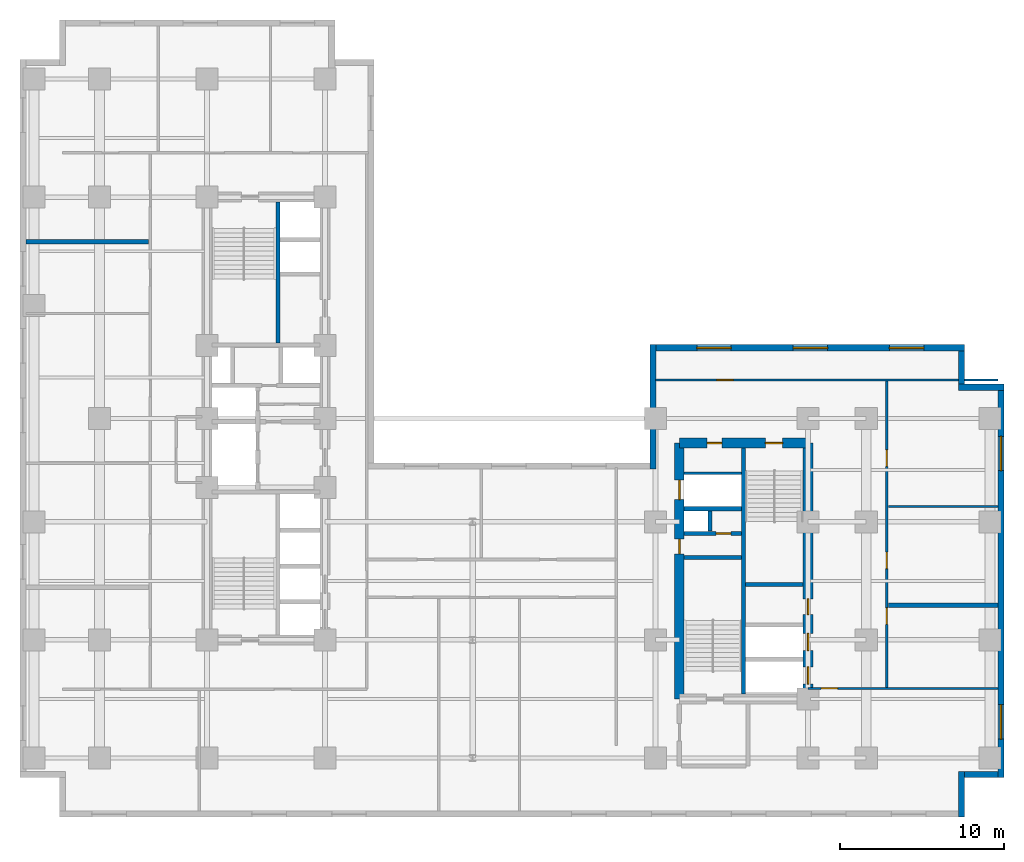
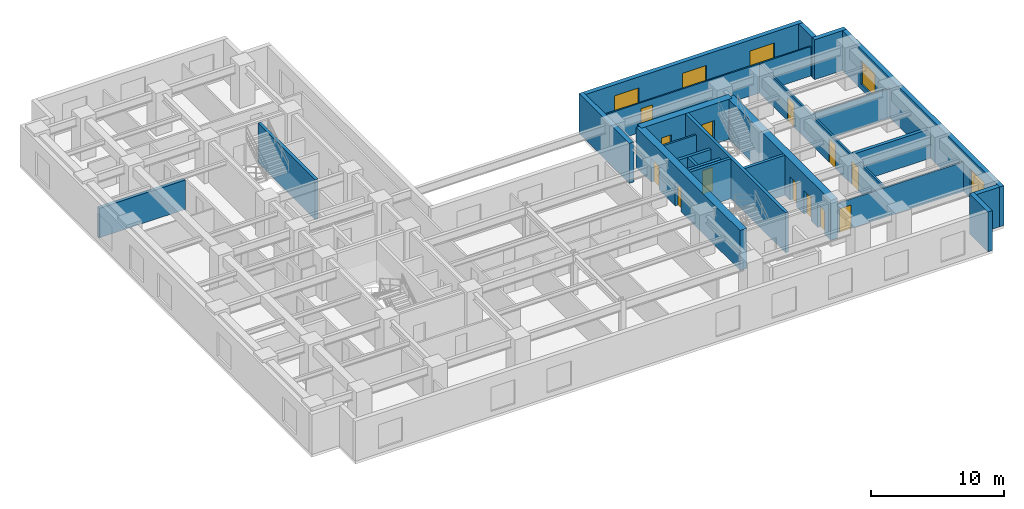
# One storey, part 5 of 9: 24 walls, 13 doors, 5 windows, 18 openings.
"""IFC4 building model written with IfcOpenShell, lengths in metres."""

from ifc_helpers import new_model, entity, si_unit, converted_unit, direction, frame, origin_with_axes, origin_2d_with_axis, place, context, subcontext, project, spatial, polyline, rectangle, outline, extrude, material, layer, layer_set, type_object, element, fill, save


model = new_model("IFC4")

# Units and contexts
model_context = context("Model", 3, precision=1e-05, world=origin_with_axes(), true_north=direction((0.0, 1.0)))
body_context = subcontext(model_context, "Body", "Model", "MODEL_VIEW")
ifc_project = project(units=[si_unit("LENGTHUNIT", "METRE"), si_unit("AREAUNIT", "SQUARE_METRE"), si_unit("VOLUMEUNIT", "CUBIC_METRE"), converted_unit("PLANEANGLEUNIT", "DEGREE", entity("IfcPlaneAngleMeasure", 0.017453292519943295), si_unit("PLANEANGLEUNIT", "RADIAN"), dimensions=[0, 0, 0, 0, 0, 0, 0]), si_unit("MASSUNIT", "GRAM", prefix="KILO"), si_unit("THERMODYNAMICTEMPERATUREUNIT", "KELVIN")], contexts=[model_context])

# Site, building, storey
site_placement = place(None, origin_with_axes())
site = spatial("IfcSite", under=ifc_project, at=site_placement, CompositionType="ELEMENT")
building_placement = place(site_placement, origin_with_axes())
building = spatial("IfcBuilding", under=site, at=building_placement, Name="Varnlund Millrace Tower", CompositionType="ELEMENT")
storey_placement = place(building_placement, frame((0.0, 0.0, 56.1), z_axis=(0.0, 0.0, 1.0), x_axis=(1.0, 0.0, 0.0)))
storey = spatial("IfcBuildingStorey", under=building, at=storey_placement, Name="L13", CompositionType="ELEMENT", Elevation=56.1)

# Wall, openings, doors
ifc_material_1 = material(Name="Concrete C80/95", Category="concrete")
ifc_layer_1 = layer(ifc_material_1, 0.6, Name="Concrete C80/95")
ifc_layer_set_1 = layer_set([ifc_layer_1], Name="Concrete C80/95")
wall_type_1 = type_object("IfcWallType", Name="Type-CoreWall-Shear-600-C80", PredefinedType="SHEAR", material=ifc_layer_set_1)
wall_1_placement = place(storey_placement, frame((40.2, 7.2, 0.0), z_axis=(0.0, 0.0, 1.0), x_axis=(0.0, 1.0, 0.0)))
wall_1 = element("IfcWall", 1, at=wall_1_placement, inside=storey, type_object=wall_type_1, Name="Type-CoreWall-Shear-600-C80", PredefinedType="SHEAR", context=body_context, shape_type="SweptSolid", body=[
    extrude(outline(polyline([(0.0, -0.3), (15.6, -0.3), (15.6, 0.3), (0.0, 0.3), (0.0, -0.3)])), origin_with_axes(), (0.0, 0.0, 1.0), 3.66),
])
opening_1_placement = place(wall_1_placement, frame((12.75, 0.0, 0.0), z_axis=(0.0, 0.0, 1.0), x_axis=(1.0, 0.0, 0.0)))
opening_1 = element("IfcOpeningElement", 2, at=opening_1_placement, cuts=wall_1, Name="Opening L13:LD-SRV2", PredefinedType="OPENING", context=body_context, shape_type="SweptSolid", body=[
    extrude(rectangle(XDim=1.2, YDim=0.62, at=origin_2d_with_axis()), origin_with_axes(), (0.0, 0.0, 1.0), 2.15),
])
opening_2_placement = place(wall_1_placement, frame((9.3, 0.0, 0.0), z_axis=(0.0, 0.0, 1.0), x_axis=(1.0, 0.0, 0.0)))
opening_2 = element("IfcOpeningElement", 3, at=opening_2_placement, cuts=wall_1, Name="Opening L13:DR-CB-JAN", PredefinedType="OPENING", context=body_context, shape_type="SweptSolid", body=[
    extrude(rectangle(XDim=0.9, YDim=0.62, at=origin_2d_with_axis()), origin_with_axes(), (0.0, 0.0, 1.0), 2.15),
])
ifc_material_2 = material(Name="Fire-rated hollow steel service closet door", Category="steel")
door_type_1 = type_object("IfcDoorType", Name="Type-FireDoor-Closet-900X2150", OperationType="NOTDEFINED", PredefinedType="DOOR", material=ifc_material_2)
door_1_placement = place(wall_1_placement, frame((9.3, 0.0, 0.0), z_axis=(0.0, 0.0, 1.0), x_axis=(1.0, 0.0, 0.0)))
door_1 = element("IfcDoor", 4, at=door_1_placement, inside=storey, type_object=door_type_1, Name="Type-FireDoor-Closet-900X2150", OperationType="SINGLE_SWING_RIGHT", OverallHeight=2.15, OverallWidth=0.9, PredefinedType="DOOR", context=body_context, shape_type="SweptSolid", body=[
    extrude(rectangle(XDim=0.9, YDim=0.09, at=origin_2d_with_axis()), origin_with_axes(), (0.0, 0.0, 1.0), 2.15),
])
fill(opening_2, door_1)
ifc_material_3 = material(Name="Heavy-duty freight sliding landing door")
door_type_2 = type_object("IfcDoorType", Name="Type-LiftLandingDoor-Service-1200X2150", OperationType="NOTDEFINED", PredefinedType="DOOR", material=ifc_material_3)
door_2_placement = place(wall_1_placement, frame((12.75, 0.0, 0.0), z_axis=(0.0, 0.0, 1.0), x_axis=(1.0, 0.0, 0.0)))
door_2 = element("IfcDoor", 5, at=door_2_placement, inside=storey, type_object=door_type_2, Name="Type-LiftLandingDoor-Service-1200X2150", OperationType="DOUBLE_DOOR_SLIDING", OverallHeight=2.15, OverallWidth=1.2, PredefinedType="DOOR", context=body_context, shape_type="SweptSolid", body=[
    extrude(rectangle(XDim=1.2, YDim=0.09, at=origin_2d_with_axis()), origin_with_axes(), (0.0, 0.0, 1.0), 2.15),
])
fill(opening_1, door_2)

wall_2_placement = place(storey_placement, frame((40.2, 22.8, 0.0), z_axis=(0.0, 0.0, 1.0), x_axis=(1.0, 0.0, 0.0)))
wall_2 = element("IfcWall", 6, at=wall_2_placement, inside=storey, type_object=wall_type_1, Name="Type-CoreWall-Shear-600-C80", PredefinedType="SHEAR", context=body_context, shape_type="SweptSolid", body=[
    extrude(outline(polyline([(0.0, -0.3), (7.85, -0.3), (7.85, 0.3), (0.0, 0.3), (0.0, -0.3)])), origin_with_axes(), (0.0, 0.0, 1.0), 3.66),
])
opening_3_placement = place(wall_2_placement, frame((5.775, 0.0, 0.0), z_axis=(0.0, 0.0, 1.0), x_axis=(1.0, 0.0, 0.0)))
opening_3 = element("IfcOpeningElement", 7, at=opening_3_placement, cuts=wall_2, Name="Opening L13:DR-STB2", PredefinedType="OPENING", context=body_context, shape_type="SweptSolid", body=[
    extrude(rectangle(XDim=1.05, YDim=0.62, at=origin_2d_with_axis()), origin_with_axes(), (0.0, 0.0, 1.0), 2.15),
])
opening_4_placement = place(wall_2_placement, frame((2.15, 0.0, 0.0), z_axis=(0.0, 0.0, 1.0), x_axis=(1.0, 0.0, 0.0)))
opening_4 = element("IfcOpeningElement", 8, at=opening_4_placement, cuts=wall_2, Name="Opening L13:DR-CB-NW", PredefinedType="OPENING", context=body_context, shape_type="SweptSolid", body=[
    extrude(rectangle(XDim=0.9, YDim=0.62, at=origin_2d_with_axis()), origin_with_axes(), (0.0, 0.0, 1.0), 2.15),
])
door_3_placement = place(wall_2_placement, frame((2.15, 0.0, 0.0), z_axis=(0.0, 0.0, 1.0), x_axis=(1.0, 0.0, 0.0)))
door_3 = element("IfcDoor", 9, at=door_3_placement, inside=storey, type_object=door_type_1, Name="Type-FireDoor-Closet-900X2150", OperationType="SINGLE_SWING_LEFT", OverallHeight=2.15, OverallWidth=0.9, PredefinedType="DOOR", context=body_context, shape_type="SweptSolid", body=[
    extrude(rectangle(XDim=0.9, YDim=0.09, at=origin_2d_with_axis()), origin_with_axes(), (0.0, 0.0, 1.0), 2.15),
])
fill(opening_4, door_3)
ifc_material_4 = material(Name="Fire-rated hollow steel door", Category="steel")
door_type_3 = type_object("IfcDoorType", Name="Type-FireDoor-Stair-1050X2150", OperationType="NOTDEFINED", PredefinedType="DOOR", material=ifc_material_4)
door_4_placement = place(wall_2_placement, frame((5.775, 0.0, 0.0), z_axis=(0.0, 0.0, 1.0), x_axis=(1.0, 0.0, 0.0)))
door_4 = element("IfcDoor", 10, at=door_4_placement, inside=storey, type_object=door_type_3, Name="Type-FireDoor-Stair-1050X2150", OperationType="SINGLE_SWING_RIGHT", OverallHeight=2.15, OverallWidth=1.05, PredefinedType="DOOR", context=body_context, shape_type="SweptSolid", body=[
    extrude(rectangle(XDim=1.05, YDim=0.09, at=origin_2d_with_axis()), origin_with_axes(), (0.0, 0.0, 1.0), 2.15),
])
fill(opening_3, door_4)

wall_3_placement = place(storey_placement, frame((48.05, 7.2, 0.0), z_axis=(0.0, 0.0, 1.0), x_axis=(0.0, 1.0, 0.0)))
wall_3 = element("IfcWall", 11, at=wall_3_placement, inside=storey, type_object=wall_type_1, Name="Type-CoreWall-Shear-600-C80", PredefinedType="SHEAR", context=body_context, shape_type="SweptSolid", body=[
    extrude(outline(polyline([(0.0, -0.3), (15.6, -0.3), (15.6, 0.3), (0.0, 0.3), (0.0, -0.3)])), origin_with_axes(), (0.0, 0.0, 1.0), 3.66),
])
opening_5_placement = place(wall_3_placement, frame((1.425, 0.0, 0.0), z_axis=(0.0, 0.0, 1.0), x_axis=(1.0, 0.0, 0.0)))
opening_5 = element("IfcOpeningElement", 12, at=opening_5_placement, cuts=wall_3, Name="Opening L13:LD-ELV-L3", PredefinedType="OPENING", context=body_context, shape_type="SweptSolid", body=[
    extrude(rectangle(XDim=1.05, YDim=0.62, at=origin_2d_with_axis()), origin_with_axes(), (0.0, 0.0, 1.0), 2.15),
])
opening_6_placement = place(wall_3_placement, frame((3.475, 0.0, 0.0), z_axis=(0.0, 0.0, 1.0), x_axis=(1.0, 0.0, 0.0)))
opening_6 = element("IfcOpeningElement", 13, at=opening_6_placement, cuts=wall_3, Name="Opening L13:LD-ELV-L4", PredefinedType="OPENING", context=body_context, shape_type="SweptSolid", body=[
    extrude(rectangle(XDim=1.05, YDim=0.62, at=origin_2d_with_axis()), origin_with_axes(), (0.0, 0.0, 1.0), 2.15),
])
opening_7_placement = place(wall_3_placement, frame((5.625, 0.0, 0.0), z_axis=(0.0, 0.0, 1.0), x_axis=(1.0, 0.0, 0.0)))
opening_7 = element("IfcOpeningElement", 14, at=opening_7_placement, cuts=wall_3, Name="Opening L13:DR-CB-WC", PredefinedType="OPENING", context=body_context, shape_type="SweptSolid", body=[
    extrude(rectangle(XDim=0.95, YDim=0.62, at=origin_2d_with_axis()), origin_with_axes(), (0.0, 0.0, 1.0), 2.15),
])
ifc_material_5 = material(Name="Fire-rated hollow steel core service door", Category="steel")
door_type_4 = type_object("IfcDoorType", Name="Type-FireDoor-Service-950X2150", OperationType="NOTDEFINED", PredefinedType="DOOR", material=ifc_material_5)
door_5_placement = place(wall_3_placement, frame((5.625, 0.0, 0.0), z_axis=(0.0, 0.0, 1.0), x_axis=(1.0, 0.0, 0.0)))
door_5 = element("IfcDoor", 15, at=door_5_placement, inside=storey, type_object=door_type_4, Name="Type-FireDoor-Service-950X2150", OperationType="SINGLE_SWING_LEFT", OverallHeight=2.15, OverallWidth=0.95, PredefinedType="DOOR", context=body_context, shape_type="SweptSolid", body=[
    extrude(rectangle(XDim=0.95, YDim=0.09, at=origin_2d_with_axis()), origin_with_axes(), (0.0, 0.0, 1.0), 2.15),
])
fill(opening_7, door_5)
ifc_material_6 = material(Name="Architectural bronze sliding landing door")
door_type_5 = type_object("IfcDoorType", Name="Type-LiftLandingDoor-Compact-1050X2150", OperationType="NOTDEFINED", PredefinedType="DOOR", material=ifc_material_6)
door_6_placement = place(wall_3_placement, frame((1.425, 0.0, 0.0), z_axis=(0.0, 0.0, 1.0), x_axis=(1.0, 0.0, 0.0)))
door_6 = element("IfcDoor", 16, at=door_6_placement, inside=storey, type_object=door_type_5, Name="Type-LiftLandingDoor-Compact-1050X2150", OperationType="SLIDING_TO_LEFT", OverallHeight=2.15, OverallWidth=1.05, PredefinedType="DOOR", context=body_context, shape_type="SweptSolid", body=[
    extrude(rectangle(XDim=1.05, YDim=0.09, at=origin_2d_with_axis()), origin_with_axes(), (0.0, 0.0, 1.0), 2.15),
])
fill(opening_5, door_6)
door_7_placement = place(wall_3_placement, frame((3.475, 0.0, 0.0), z_axis=(0.0, 0.0, 1.0), x_axis=(1.0, 0.0, 0.0)))
door_7 = element("IfcDoor", 17, at=door_7_placement, inside=storey, type_object=door_type_5, Name="Type-LiftLandingDoor-Compact-1050X2150", OperationType="SLIDING_TO_RIGHT", OverallHeight=2.15, OverallWidth=1.05, PredefinedType="DOOR", context=body_context, shape_type="SweptSolid", body=[
    extrude(rectangle(XDim=1.05, YDim=0.09, at=origin_2d_with_axis()), origin_with_axes(), (0.0, 0.0, 1.0), 2.15),
])
fill(opening_6, door_7)

# Wall
ifc_material_7 = material(Name="Precast concrete C50/60", Category="concrete")
ifc_layer_2 = layer(ifc_material_7, 0.38, Name="Precast concrete C50/60")
ifc_layer_set_2 = layer_set([ifc_layer_2], Name="Precast concrete C50/60")
wall_type_2 = type_object("IfcWallType", Name="Type-ExtWall-Precast-Tube-380", PredefinedType="SOLIDWALL", material=ifc_layer_set_2)
wall_4_placement = place(storey_placement, frame((38.59, 21.22, 0.0), z_axis=(0.0, 0.0, 1.0), x_axis=(0.0, 1.0, 0.0)))
element("IfcWall", 18, at=wall_4_placement, inside=storey, type_object=wall_type_2, Name="Type-ExtWall-Precast-Tube-380", PredefinedType="SOLIDWALL", context=body_context, shape_type="SweptSolid", body=[
    extrude(outline(polyline([(0.0, -0.19), (7.58, -0.19), (7.58, 0.19), (0.0, 0.19), (0.0, -0.19)])), origin_with_axes(), (0.0, 0.0, 1.0), 3.66),
])

# Wall, openings, windows
wall_5_placement = place(storey_placement, frame((38.78, 28.61, 0.0), z_axis=(0.0, 0.0, 1.0), x_axis=(1.0, 0.0, 0.0)))
wall_5 = element("IfcWall", 19, at=wall_5_placement, inside=storey, type_object=wall_type_2, Name="Type-ExtWall-Precast-Tube-380", PredefinedType="SOLIDWALL", context=body_context, shape_type="SweptSolid", body=[
    extrude(outline(polyline([(0.0, -0.19), (18.82, -0.19), (18.82, 0.19), (0.0, 0.19), (0.0, -0.19)])), origin_with_axes(), (0.0, 0.0, 1.0), 3.66),
])
opening_8_placement = place(wall_5_placement, frame((3.537, 0.0, 0.45), z_axis=(0.0, 0.0, 1.0), x_axis=(1.0, 0.0, 0.0)))
opening_8 = element("IfcOpeningElement", 20, at=opening_8_placement, cuts=wall_5, Name="Opening L13:WN-01", PredefinedType="OPENING", context=body_context, shape_type="SweptSolid", body=[
    extrude(rectangle(XDim=2.1, YDim=0.4, at=origin_2d_with_axis()), origin_with_axes(), (0.0, 0.0, 1.0), 2.2),
])
opening_9_placement = place(wall_5_placement, frame((9.41, 0.0, 0.45), z_axis=(0.0, 0.0, 1.0), x_axis=(1.0, 0.0, 0.0)))
opening_9 = element("IfcOpeningElement", 21, at=opening_9_placement, cuts=wall_5, Name="Opening L13:WN-02", PredefinedType="OPENING", context=body_context, shape_type="SweptSolid", body=[
    extrude(rectangle(XDim=2.1, YDim=0.4, at=origin_2d_with_axis()), origin_with_axes(), (0.0, 0.0, 1.0), 2.2),
])
opening_10_placement = place(wall_5_placement, frame((15.283, 0.0, 0.45), z_axis=(0.0, 0.0, 1.0), x_axis=(1.0, 0.0, 0.0)))
opening_10 = element("IfcOpeningElement", 22, at=opening_10_placement, cuts=wall_5, Name="Opening L13:WN-03", PredefinedType="OPENING", context=body_context, shape_type="SweptSolid", body=[
    extrude(rectangle(XDim=2.1, YDim=0.4, at=origin_2d_with_axis()), origin_with_axes(), (0.0, 0.0, 1.0), 2.2),
])
ifc_material_8 = material(Name="Argon low-e triple glazing in thermally broken bronze frame", Category="glass")
window_type = type_object("IfcWindowType", Name="Type-Window-Punched-2100X2200", PartitioningType="SINGLE_PANEL", PredefinedType="WINDOW", material=ifc_material_8)
window_1_placement = place(wall_5_placement, frame((3.537, 0.0, 0.45), z_axis=(0.0, 0.0, 1.0), x_axis=(1.0, 0.0, 0.0)))
window_1 = element("IfcWindow", 23, at=window_1_placement, inside=storey, type_object=window_type, Name="Type-Window-Punched-2100X2200", OverallHeight=2.2, OverallWidth=2.1, PredefinedType="WINDOW", context=body_context, shape_type="SweptSolid", body=[
    extrude(rectangle(XDim=2.1, YDim=0.09, at=origin_2d_with_axis()), origin_with_axes(), (0.0, 0.0, 1.0), 2.2),
])
fill(opening_8, window_1)
window_2_placement = place(wall_5_placement, frame((9.41, 0.0, 0.45), z_axis=(0.0, 0.0, 1.0), x_axis=(1.0, 0.0, 0.0)))
window_2 = element("IfcWindow", 24, at=window_2_placement, inside=storey, type_object=window_type, Name="Type-Window-Punched-2100X2200", OverallHeight=2.2, OverallWidth=2.1, PredefinedType="WINDOW", context=body_context, shape_type="SweptSolid", body=[
    extrude(rectangle(XDim=2.1, YDim=0.09, at=origin_2d_with_axis()), origin_with_axes(), (0.0, 0.0, 1.0), 2.2),
])
fill(opening_9, window_2)
window_3_placement = place(wall_5_placement, frame((15.283, 0.0, 0.45), z_axis=(0.0, 0.0, 1.0), x_axis=(1.0, 0.0, 0.0)))
window_3 = element("IfcWindow", 25, at=window_3_placement, inside=storey, type_object=window_type, Name="Type-Window-Punched-2100X2200", OverallHeight=2.2, OverallWidth=2.1, PredefinedType="WINDOW", context=body_context, shape_type="SweptSolid", body=[
    extrude(rectangle(XDim=2.1, YDim=0.09, at=origin_2d_with_axis()), origin_with_axes(), (0.0, 0.0, 1.0), 2.2),
])
fill(opening_10, window_3)

# Walls
wall_6_placement = place(storey_placement, frame((57.41, 28.42, 0.0), z_axis=(0.0, 0.0, 1.0), x_axis=(0.0, -1.0, 0.0)))
element("IfcWall", 26, at=wall_6_placement, inside=storey, type_object=wall_type_2, Name="Type-ExtWall-Precast-Tube-380", PredefinedType="SOLIDWALL", context=body_context, shape_type="SweptSolid", body=[
    extrude(outline(polyline([(0.0, -0.19), (2.02, -0.19), (2.02, 0.19), (0.0, 0.19), (0.0, -0.19)])), origin_with_axes(), (0.0, 0.0, 1.0), 3.66),
])
wall_7_placement = place(storey_placement, frame((57.22, 26.21, 0.0), z_axis=(0.0, 0.0, 1.0), x_axis=(1.0, 0.0, 0.0)))
element("IfcWall", 27, at=wall_7_placement, inside=storey, type_object=wall_type_2, Name="Type-ExtWall-Precast-Tube-380", PredefinedType="SOLIDWALL", context=body_context, shape_type="SweptSolid", body=[
    extrude(outline(polyline([(0.0, -0.19), (2.78, -0.19), (2.78, 0.19), (0.0, 0.19), (0.0, -0.19)])), origin_with_axes(), (0.0, 0.0, 1.0), 3.66),
])

# Wall, openings, windows
wall_8_placement = place(storey_placement, frame((59.81, 26.02, 0.0), z_axis=(0.0, 0.0, 1.0), x_axis=(0.0, -1.0, 0.0)))
wall_8 = element("IfcWall", 28, at=wall_8_placement, inside=storey, type_object=wall_type_2, Name="Type-ExtWall-Precast-Tube-380", PredefinedType="SOLIDWALL", context=body_context, shape_type="SweptSolid", body=[
    extrude(outline(polyline([(0.0, -0.19), (23.62, -0.19), (23.62, 0.19), (0.0, 0.19), (0.0, -0.19)])), origin_with_axes(), (0.0, 0.0, 1.0), 3.66),
])
opening_11_placement = place(wall_8_placement, frame((3.853, 0.0, 0.45), z_axis=(0.0, 0.0, 1.0), x_axis=(1.0, 0.0, 0.0)))
opening_11 = element("IfcOpeningElement", 29, at=opening_11_placement, cuts=wall_8, Name="Opening L13:WN-04", PredefinedType="OPENING", context=body_context, shape_type="SweptSolid", body=[
    extrude(rectangle(XDim=2.1, YDim=0.4, at=origin_2d_with_axis()), origin_with_axes(), (0.0, 0.0, 1.0), 2.2),
])
opening_12_placement = place(wall_8_placement, frame((20.218, 0.0, 0.45), z_axis=(0.0, 0.0, 1.0), x_axis=(1.0, 0.0, 0.0)))
opening_12 = element("IfcOpeningElement", 30, at=opening_12_placement, cuts=wall_8, Name="Opening L13:WN-05", PredefinedType="OPENING", context=body_context, shape_type="SweptSolid", body=[
    extrude(rectangle(XDim=2.1, YDim=0.4, at=origin_2d_with_axis()), origin_with_axes(), (0.0, 0.0, 1.0), 2.2),
])
window_4_placement = place(wall_8_placement, frame((3.853, 0.0, 0.45), z_axis=(0.0, 0.0, 1.0), x_axis=(1.0, 0.0, 0.0)))
window_4 = element("IfcWindow", 31, at=window_4_placement, inside=storey, type_object=window_type, Name="Type-Window-Punched-2100X2200", OverallHeight=2.2, OverallWidth=2.1, PredefinedType="WINDOW", context=body_context, shape_type="SweptSolid", body=[
    extrude(rectangle(XDim=2.1, YDim=0.09, at=origin_2d_with_axis()), origin_with_axes(), (0.0, 0.0, 1.0), 2.2),
])
fill(opening_11, window_4)
window_5_placement = place(wall_8_placement, frame((20.218, 0.0, 0.45), z_axis=(0.0, 0.0, 1.0), x_axis=(1.0, 0.0, 0.0)))
window_5 = element("IfcWindow", 32, at=window_5_placement, inside=storey, type_object=window_type, Name="Type-Window-Punched-2100X2200", OverallHeight=2.2, OverallWidth=2.1, PredefinedType="WINDOW", context=body_context, shape_type="SweptSolid", body=[
    extrude(rectangle(XDim=2.1, YDim=0.09, at=origin_2d_with_axis()), origin_with_axes(), (0.0, 0.0, 1.0), 2.2),
])
fill(opening_12, window_5)

# Walls
wall_9_placement = place(storey_placement, frame((59.62, 2.59, 0.0), z_axis=(0.0, 0.0, 1.0), x_axis=(-1.0, 0.0, 0.0)))
element("IfcWall", 33, at=wall_9_placement, inside=storey, type_object=wall_type_2, Name="Type-ExtWall-Precast-Tube-380", PredefinedType="SOLIDWALL", context=body_context, shape_type="SweptSolid", body=[
    extrude(outline(polyline([(0.0, -0.19), (2.02, -0.19), (2.02, 0.19), (0.0, 0.19), (0.0, -0.19)])), origin_with_axes(), (0.0, 0.0, 1.0), 3.66),
])
wall_10_placement = place(storey_placement, frame((57.41, 2.78, 0.0), z_axis=(0.0, 0.0, 1.0), x_axis=(0.0, -1.0, 0.0)))
element("IfcWall", 34, at=wall_10_placement, inside=storey, type_object=wall_type_2, Name="Type-ExtWall-Precast-Tube-380", PredefinedType="SOLIDWALL", context=body_context, shape_type="SweptSolid", body=[
    extrude(outline(polyline([(0.0, -0.19), (2.78, -0.19), (2.78, 0.19), (0.0, 0.19), (0.0, -0.19)])), origin_with_axes(), (0.0, 0.0, 1.0), 3.66),
])
ifc_material_9 = material(Name="Double-stud STC-60 conference acoustic partition", Category="gypsum")
ifc_layer_3 = layer(ifc_material_9, 0.28, Name="Double-stud STC-60 conference acoustic partition")
ifc_layer_set_3 = layer_set([ifc_layer_3], Name="Double-stud STC-60 conference acoustic partition")
wall_type_3 = type_object("IfcWallType", Name="Type-Partition-Acoustic-280", PredefinedType="PARTITIONING", material=ifc_layer_set_3)
wall_11_placement = place(storey_placement, frame((0.375, 35.084, 0.0), z_axis=(0.0, 0.0, 1.0), x_axis=(1.0, 0.0, 0.0)))
element("IfcWall", 35, at=wall_11_placement, inside=storey, type_object=wall_type_3, Name="Type-Partition-Acoustic-280", PredefinedType="PARTITIONING", context=body_context, shape_type="SweptSolid", body=[
    extrude(outline(polyline([(0.0, -0.14), (7.455, -0.14), (7.455, 0.14), (0.0, 0.14), (0.0, -0.14)])), origin_with_axes(), (0.0, 0.0, 1.0), 2.7),
])
wall_12_placement = place(storey_placement, frame((52.97, 12.92, 0.0), z_axis=(0.0, 0.0, 1.0), x_axis=(1.0, 0.0, 0.0)))
element("IfcWall", 36, at=wall_12_placement, inside=storey, type_object=wall_type_3, Name="Type-Partition-Acoustic-280", PredefinedType="PARTITIONING", context=body_context, shape_type="SweptSolid", body=[
    extrude(outline(polyline([(0.0, -0.14), (6.655, -0.14), (6.655, 0.14), (0.0, 0.14), (0.0, -0.14)])), origin_with_axes(), (0.0, 0.0, 1.0), 2.7),
])
ifc_material_10 = material(Name="Fire-rated gypsum board on cold-formed steel framing", Category="steel")
ifc_layer_4 = layer(ifc_material_10, 0.16, Name="Fire-rated gypsum board on cold-formed steel framing")
ifc_layer_set_4 = layer_set([ifc_layer_4], Name="Fire-rated gypsum board on cold-formed steel framing")
wall_type_4 = type_object("IfcWallType", Name="Type-Partition-Corridor-160", PredefinedType="PARTITIONING", material=ifc_layer_set_4)
wall_13_placement = place(storey_placement, frame((40.5, 20.96, 0.0), z_axis=(0.0, 0.0, 1.0), x_axis=(1.0, 0.0, 0.0)))
element("IfcWall", 37, at=wall_13_placement, inside=storey, type_object=wall_type_4, Name="Type-Partition-Corridor-160", PredefinedType="PARTITIONING", context=body_context, shape_type="SweptSolid", body=[
    extrude(outline(polyline([(0.0, -0.08), (3.5, -0.08), (3.5, 0.08), (0.0, 0.08), (0.0, -0.08)])), origin_with_axes(), (0.0, 0.0, 1.0), 2.7),
])

# Wall, openings, doors
wall_14_placement = place(storey_placement, frame((52.85, 7.85, 0.0), z_axis=(0.0, 0.0, 1.0), x_axis=(0.0, 1.0, 0.0)))
wall_14 = element("IfcWall", 38, at=wall_14_placement, inside=storey, type_object=wall_type_4, Name="Type-Partition-Corridor-160", PredefinedType="PARTITIONING", context=body_context, shape_type="SweptSolid", body=[
    extrude(outline(polyline([(0.0, -0.08), (18.8, -0.08), (18.8, 0.08), (0.0, 0.08), (0.0, -0.08)])), origin_with_axes(), (0.0, 0.0, 1.0), 2.7),
])
opening_13_placement = place(wall_14_placement, frame((4.4, 0.0, 0.0), z_axis=(0.0, 0.0, 1.0), x_axis=(1.0, 0.0, 0.0)))
opening_13 = element("IfcOpeningElement", 39, at=opening_13_placement, cuts=wall_14, Name="Opening L13:DR-WB-01", PredefinedType="OPENING", context=body_context, shape_type="SweptSolid", body=[
    extrude(rectangle(XDim=1.0, YDim=0.18, at=origin_2d_with_axis()), origin_with_axes(), (0.0, 0.0, 1.0), 2.15),
])
opening_14_placement = place(wall_14_placement, frame((7.799, 0.0, 0.0), z_axis=(0.0, 0.0, 1.0), x_axis=(1.0, 0.0, 0.0)))
opening_14 = element("IfcOpeningElement", 40, at=opening_14_placement, cuts=wall_14, Name="Opening L13:DR-WB-02", PredefinedType="OPENING", context=body_context, shape_type="SweptSolid", body=[
    extrude(rectangle(XDim=1.0, YDim=0.18, at=origin_2d_with_axis()), origin_with_axes(), (0.0, 0.0, 1.0), 2.15),
])
opening_15_placement = place(wall_14_placement, frame((14.034, 0.0, 0.0), z_axis=(0.0, 0.0, 1.0), x_axis=(1.0, 0.0, 0.0)))
opening_15 = element("IfcOpeningElement", 41, at=opening_15_placement, cuts=wall_14, Name="Opening L13:DR-WB-03", PredefinedType="OPENING", context=body_context, shape_type="SweptSolid", body=[
    extrude(rectangle(XDim=1.0, YDim=0.18, at=origin_2d_with_axis()), origin_with_axes(), (0.0, 0.0, 1.0), 2.15),
])
ifc_material_11 = material(Name="Solid-core white oak and bronze frame door")
door_type_6 = type_object("IfcDoorType", Name="Type-IntDoor-Office-1000X2150", OperationType="NOTDEFINED", PredefinedType="DOOR", material=ifc_material_11)
door_8_placement = place(wall_14_placement, frame((4.4, 0.0, 0.0), z_axis=(0.0, 0.0, 1.0), x_axis=(1.0, 0.0, 0.0)))
door_8 = element("IfcDoor", 42, at=door_8_placement, inside=storey, type_object=door_type_6, Name="Type-IntDoor-Office-1000X2150", OperationType="SINGLE_SWING_LEFT", OverallHeight=2.15, OverallWidth=1.0, PredefinedType="DOOR", context=body_context, shape_type="SweptSolid", body=[
    extrude(rectangle(XDim=1.0, YDim=0.09, at=origin_2d_with_axis()), origin_with_axes(), (0.0, 0.0, 1.0), 2.15),
])
fill(opening_13, door_8)
door_9_placement = place(wall_14_placement, frame((7.799, 0.0, 0.0), z_axis=(0.0, 0.0, 1.0), x_axis=(1.0, 0.0, 0.0)))
door_9 = element("IfcDoor", 43, at=door_9_placement, inside=storey, type_object=door_type_6, Name="Type-IntDoor-Office-1000X2150", OperationType="SINGLE_SWING_RIGHT", OverallHeight=2.15, OverallWidth=1.0, PredefinedType="DOOR", context=body_context, shape_type="SweptSolid", body=[
    extrude(rectangle(XDim=1.0, YDim=0.09, at=origin_2d_with_axis()), origin_with_axes(), (0.0, 0.0, 1.0), 2.15),
])
fill(opening_14, door_9)
door_10_placement = place(wall_14_placement, frame((14.034, 0.0, 0.0), z_axis=(0.0, 0.0, 1.0), x_axis=(1.0, 0.0, 0.0)))
door_10 = element("IfcDoor", 44, at=door_10_placement, inside=storey, type_object=door_type_6, Name="Type-IntDoor-Office-1000X2150", OperationType="SINGLE_SWING_LEFT", OverallHeight=2.15, OverallWidth=1.0, PredefinedType="DOOR", context=body_context, shape_type="SweptSolid", body=[
    extrude(rectangle(XDim=1.0, YDim=0.09, at=origin_2d_with_axis()), origin_with_axes(), (0.0, 0.0, 1.0), 2.15),
])
fill(opening_15, door_10)

# Wall, opening, door
ifc_material_12 = material(Name="Gypsum board tenant partition", Category="gypsum")
ifc_layer_5 = layer(ifc_material_12, 0.125, Name="Gypsum board tenant partition")
ifc_layer_set_5 = layer_set([ifc_layer_5], Name="Gypsum board tenant partition")
wall_type_5 = type_object("IfcWallType", Name="Type-Partition-Tenant-125", PredefinedType="PARTITIONING", material=ifc_layer_set_5)
wall_15_placement = place(storey_placement, frame((59.64, 7.85, 0.0), z_axis=(0.0, 0.0, 1.0), x_axis=(-1.0, 0.0, 0.0)))
wall_15 = element("IfcWall", 45, at=wall_15_placement, inside=storey, type_object=wall_type_5, Name="Type-Partition-Tenant-125", PredefinedType="PARTITIONING", context=body_context, shape_type="SweptSolid", body=[
    extrude(outline(polyline([(0.0, -0.0625), (11.59, -0.0625), (11.59, 0.0625), (0.0, 0.0625), (0.0, -0.0625)])), origin_with_axes(), (0.0, 0.0, 1.0), 2.7),
])
opening_16_placement = place(wall_15_placement, frame((10.29, 0.0, 0.0), z_axis=(0.0, 0.0, 1.0), x_axis=(1.0, 0.0, 0.0)))
opening_16 = element("IfcOpeningElement", 46, at=opening_16_placement, cuts=wall_15, Name="Opening L13:DR-WBS-01", PredefinedType="OPENING", context=body_context, shape_type="SweptSolid", body=[
    extrude(rectangle(XDim=1.0, YDim=0.145, at=origin_2d_with_axis()), origin_with_axes(), (0.0, 0.0, 1.0), 2.15),
])
door_11_placement = place(wall_15_placement, frame((10.29, 0.0, 0.0), z_axis=(0.0, 0.0, 1.0), x_axis=(1.0, 0.0, 0.0)))
door_11 = element("IfcDoor", 47, at=door_11_placement, inside=storey, type_object=door_type_6, Name="Type-IntDoor-Office-1000X2150", OperationType="SINGLE_SWING_LEFT", OverallHeight=2.15, OverallWidth=1.0, PredefinedType="DOOR", context=body_context, shape_type="SweptSolid", body=[
    extrude(rectangle(XDim=1.0, YDim=0.075, at=origin_2d_with_axis()), origin_with_axes(), (0.0, 0.0, 1.0), 2.15),
])
fill(opening_16, door_11)

wall_16_placement = place(storey_placement, frame((38.76, 26.65, 0.0), z_axis=(0.0, 0.0, 1.0), x_axis=(1.0, 0.0, 0.0)))
wall_16 = element("IfcWall", 48, at=wall_16_placement, inside=storey, type_object=wall_type_5, Name="Type-Partition-Tenant-125", PredefinedType="PARTITIONING", context=body_context, shape_type="SweptSolid", body=[
    extrude(outline(polyline([(0.0, -0.0625), (20.88, -0.0625), (20.88, 0.0625), (0.0, 0.0625), (0.0, -0.0625)])), origin_with_axes(), (0.0, 0.0, 1.0), 2.7),
])
opening_17_placement = place(wall_16_placement, frame((4.24, 0.0, 0.0), z_axis=(0.0, 0.0, 1.0), x_axis=(1.0, 0.0, 0.0)))
opening_17 = element("IfcOpeningElement", 49, at=opening_17_placement, cuts=wall_16, Name="Opening L13:DR-WBN-01", PredefinedType="OPENING", context=body_context, shape_type="SweptSolid", body=[
    extrude(rectangle(XDim=1.0, YDim=0.145, at=origin_2d_with_axis()), origin_with_axes(), (0.0, 0.0, 1.0), 2.15),
])
door_12_placement = place(wall_16_placement, frame((4.24, 0.0, 0.0), z_axis=(0.0, 0.0, 1.0), x_axis=(1.0, 0.0, 0.0)))
door_12 = element("IfcDoor", 50, at=door_12_placement, inside=storey, type_object=door_type_6, Name="Type-IntDoor-Office-1000X2150", OperationType="SINGLE_SWING_RIGHT", OverallHeight=2.15, OverallWidth=1.0, PredefinedType="DOOR", context=body_context, shape_type="SweptSolid", body=[
    extrude(rectangle(XDim=1.0, YDim=0.075, at=origin_2d_with_axis()), origin_with_axes(), (0.0, 0.0, 1.0), 2.15),
])
fill(opening_17, door_12)

# Wall
wall_17_placement = place(storey_placement, frame((52.97, 18.939, 0.0), z_axis=(0.0, 0.0, 1.0), x_axis=(1.0, 0.0, 0.0)))
element("IfcWall", 51, at=wall_17_placement, inside=storey, type_object=wall_type_5, Name="Type-Partition-Tenant-125", PredefinedType="PARTITIONING", context=body_context, shape_type="SweptSolid", body=[
    extrude(outline(polyline([(0.0, -0.0625), (6.655, -0.0625), (6.655, 0.0625), (0.0, 0.0625), (0.0, -0.0625)])), origin_with_axes(), (0.0, 0.0, 1.0), 2.7),
])

# Wall, opening, door
ifc_material_13 = material(Name="Concrete C60/75", Category="concrete")
ifc_layer_6 = layer(ifc_material_13, 0.25, Name="Concrete C60/75")
ifc_layer_set_6 = layer_set([ifc_layer_6], Name="Concrete C60/75")
wall_type_6 = type_object("IfcWallType", Name="Type-ShaftWall-Fire-250", PredefinedType="SOLIDWALL", material=ifc_layer_set_6)
wall_18_placement = place(storey_placement, frame((40.5, 17.3, 0.0), z_axis=(0.0, 0.0, 1.0), x_axis=(1.0, 0.0, 0.0)))
wall_18 = element("IfcWall", 52, at=wall_18_placement, inside=storey, type_object=wall_type_6, Name="Type-ShaftWall-Fire-250", PredefinedType="SOLIDWALL", context=body_context, shape_type="SweptSolid", body=[
    extrude(outline(polyline([(0.0, -0.125), (3.5, -0.125), (3.5, 0.125), (0.0, 0.125), (0.0, -0.125)])), origin_with_axes(), (0.0, 0.0, 1.0), 2.7),
])
opening_18_placement = place(wall_18_placement, frame((2.4, 0.0, 0.0), z_axis=(0.0, 0.0, 1.0), x_axis=(1.0, 0.0, 0.0)))
opening_18 = element("IfcOpeningElement", 53, at=opening_18_placement, cuts=wall_18, Name="Opening L13:DR-CB-ELC", PredefinedType="OPENING", context=body_context, shape_type="SweptSolid", body=[
    extrude(rectangle(XDim=0.9, YDim=0.27, at=origin_2d_with_axis()), origin_with_axes(), (0.0, 0.0, 1.0), 2.15),
])
door_13_placement = place(wall_18_placement, frame((2.4, 0.0, 0.0), z_axis=(0.0, 0.0, 1.0), x_axis=(1.0, 0.0, 0.0)))
door_13 = element("IfcDoor", 54, at=door_13_placement, inside=storey, type_object=door_type_1, Name="Type-FireDoor-Closet-900X2150", OperationType="SINGLE_SWING_LEFT", OverallHeight=2.15, OverallWidth=0.9, PredefinedType="DOOR", context=body_context, shape_type="SweptSolid", body=[
    extrude(rectangle(XDim=0.9, YDim=0.09, at=origin_2d_with_axis()), origin_with_axes(), (0.0, 0.0, 1.0), 2.15),
])
fill(opening_18, door_13)

# Walls
wall_19_placement = place(storey_placement, frame((40.5, 18.8, 0.0), z_axis=(0.0, 0.0, 1.0), x_axis=(1.0, 0.0, 0.0)))
element("IfcWall", 55, at=wall_19_placement, inside=storey, type_object=wall_type_6, Name="Type-ShaftWall-Fire-250", PredefinedType="SOLIDWALL", context=body_context, shape_type="SweptSolid", body=[
    extrude(outline(polyline([(0.0, -0.125), (3.5, -0.125), (3.5, 0.125), (0.0, 0.125), (0.0, -0.125)])), origin_with_axes(), (0.0, 0.0, 1.0), 2.7),
])
wall_20_placement = place(storey_placement, frame((42.075, 17.43, 0.0), z_axis=(0.0, 0.0, 1.0), x_axis=(0.0, 1.0, 0.0)))
element("IfcWall", 56, at=wall_20_placement, inside=storey, type_object=wall_type_6, Name="Type-ShaftWall-Fire-250", PredefinedType="SOLIDWALL", context=body_context, shape_type="SweptSolid", body=[
    extrude(outline(polyline([(0.0, -0.125), (1.24, -0.125), (1.24, 0.125), (0.0, 0.125), (0.0, -0.125)])), origin_with_axes(), (0.0, 0.0, 1.0), 2.7),
])
wall_type_7 = type_object("IfcWallType", Name="Type-StairWall-Shear-250", PredefinedType="SHEAR", material=ifc_layer_set_6)
wall_21_placement = place(storey_placement, frame((15.725, 28.9, 0.0), z_axis=(0.0, 0.0, 1.0), x_axis=(0.0, 1.0, 0.0)))
element("IfcWall", 57, at=wall_21_placement, inside=storey, type_object=wall_type_7, Name="Type-StairWall-Shear-250", PredefinedType="SHEAR", context=body_context, shape_type="SweptSolid", body=[
    extrude(outline(polyline([(0.0, -0.125), (8.6, -0.125), (8.6, 0.125), (0.0, 0.125), (0.0, -0.125)])), origin_with_axes(), (0.0, 0.0, 1.0), 3.66),
])
wall_22_placement = place(storey_placement, frame((44.125, 7.5, 0.0), z_axis=(0.0, 0.0, 1.0), x_axis=(0.0, 1.0, 0.0)))
element("IfcWall", 58, at=wall_22_placement, inside=storey, type_object=wall_type_7, Name="Type-StairWall-Shear-250", PredefinedType="SHEAR", context=body_context, shape_type="SweptSolid", body=[
    extrude(outline(polyline([(0.0, -0.125), (15.0, -0.125), (15.0, 0.125), (0.0, 0.125), (0.0, -0.125)])), origin_with_axes(), (0.0, 0.0, 1.0), 3.66),
])
for number, where, z_axis, x_axis, name in (
    (59, (40.5, 15.825, 0.0), (0.0, 0.0, 1.0), (1.0, 0.0, 0.0), "Type-StairWall-Shear-250"),
    (60, (44.25, 14.175, 0.0), (0.0, 0.0, 1.0), (1.0, 0.0, 0.0), "Type-StairWall-Shear-250"),
):
    element("IfcWall", number, at=place(storey_placement, frame(where, z_axis=z_axis, x_axis=x_axis)), inside=storey, type_object=wall_type_7, Name=name, PredefinedType="SHEAR", context=body_context, shape_type="SweptSolid", body=[
        extrude(outline(polyline([(0.0, -0.125), (3.5, -0.125), (3.5, 0.125), (0.0, 0.125), (0.0, -0.125)])), origin_with_axes(), (0.0, 0.0, 1.0), 3.66),
    ])

save(model, "model.ifc")
